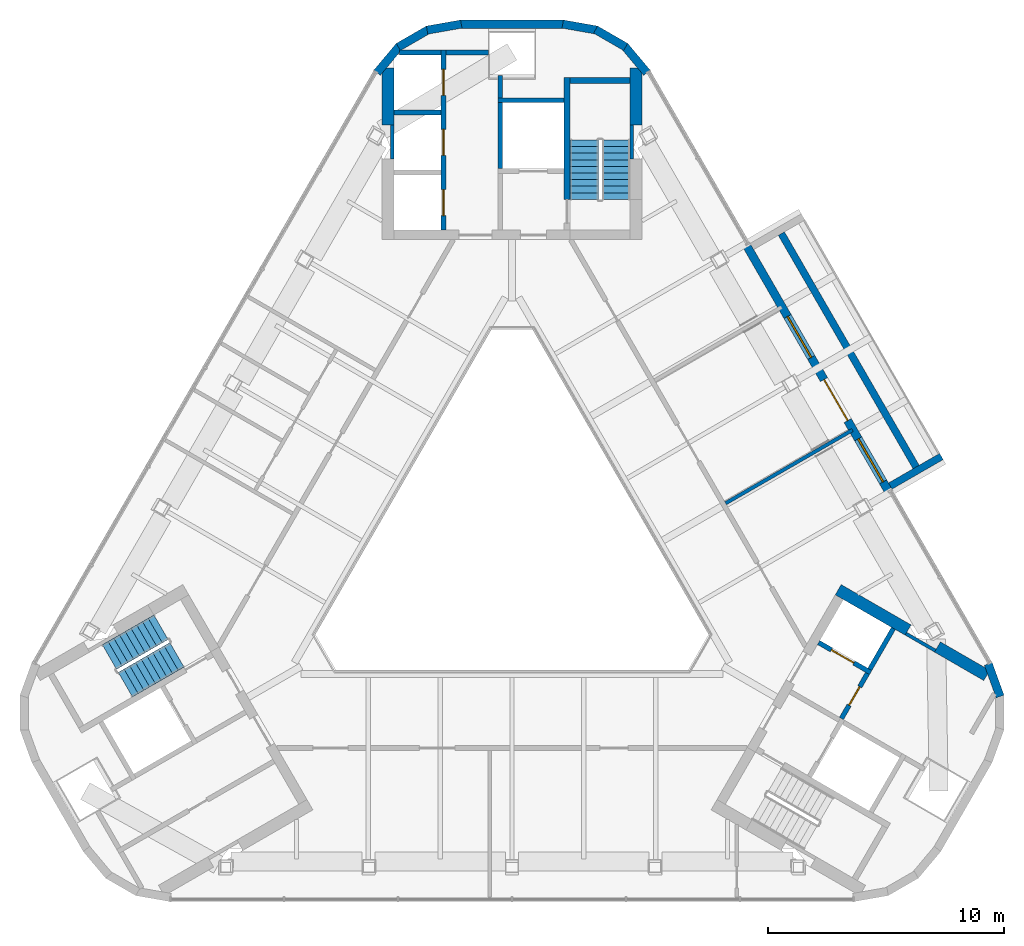
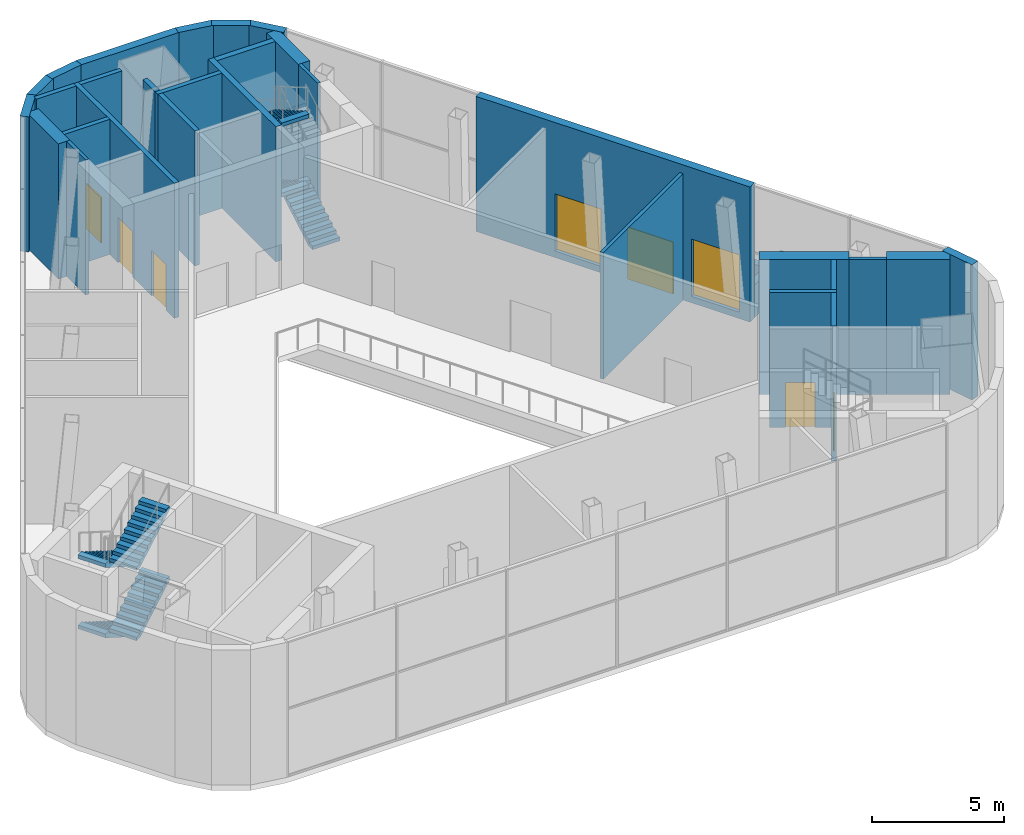
# One storey, part 9 of 12: 31 walls, 7 stair flights, 6 doors, 2 windows, 8 openings, 2 elements without a shape of their own.
"""IFC4 building model written with IfcOpenShell, lengths in metres."""

from ifc_helpers import new_model, si_unit, direction, frame, frame_2d, origin, place, context, subcontext, project, spatial, polyline, rectangle, outline, extrude, material, layer, layer_set, type_object, element, fill, aggregate, save


model = new_model("IFC4")

# Units and contexts
model_context = context("Model", 3, precision=1e-05, world=origin(), true_north=direction((0.0, 1.0)))
body_context = subcontext(model_context, "Body", "Model", "MODEL_VIEW")
ifc_project = project(units=[si_unit("LENGTHUNIT", "METRE"), si_unit("AREAUNIT", "SQUARE_METRE"), si_unit("VOLUMEUNIT", "CUBIC_METRE"), si_unit("PLANEANGLEUNIT", "RADIAN"), si_unit("MASSUNIT", "GRAM", prefix="KILO")], contexts=[model_context])

# Site, building, storey
site_placement = place(None, origin())
site = spatial("IfcSite", under=ifc_project, at=site_placement, CompositionType="ELEMENT")
building_placement = place(site_placement, origin())
building = spatial("IfcBuilding", under=site, at=building_placement, Name="Apuvela Tower Hotel", CompositionType="ELEMENT")
storey_placement = place(building_placement, frame((0.0, 0.0, 331.800048828125)))
storey = spatial("IfcBuildingStorey", under=building, at=storey_placement, Name="L83", CompositionType="ELEMENT", Elevation=331.800048828125)

# Walls
ifc_material_1 = material(Name="Concrete C50/60", Category="concrete")
ifc_layer_1 = layer(ifc_material_1, 0.139892578125)
ifc_layer_set_1 = layer_set([ifc_layer_1], Name="COR-WALL-CORE-140")
wall_type_1 = type_object("IfcWallType", Name="COR-WALL-CORE-140", PredefinedType="SHEAR", material=ifc_layer_set_1)
for number, where, z_axis, x_axis, name in (
    (1, (5.070068359375, 16.310791015625, 0.0), (0.0, 0.0, 1.0), (0.0, 1.0, 0.0), "Core wall N"),
    (2, (-5.070068359375, 16.310791015625, 0.0), (0.0, 0.0, 1.0), (0.0, 1.0, 0.0), "Core wall N"),
    (3, (16.660400390625, -3.7646484375, 0.0), (0.0, 0.0, 1.0), (0.866077922096, -0.499909024581, 0.0), "Core wall SE"),
):
    element("IfcWall", number, at=place(storey_placement, frame(where, z_axis=z_axis, x_axis=x_axis)), inside=storey, type_object=wall_type_1, Name=name, PredefinedType="SHEAR", context=body_context, shape_type="SweptSolid", body=[
        extrude(rectangle(XDim=1.434814453125, YDim=0.139892578125, at=frame_2d((0.71728515625, 0.0))), origin(), (0.0, 0.0, 1.0), 6.25),
    ])
ifc_layer_2 = layer(ifc_material_1, 0.5)
ifc_layer_set_2 = layer_set([ifc_layer_2], Name="COR-WALL-CORE-500")
wall_type_2 = type_object("IfcWallType", Name="COR-WALL-CORE-500", PredefinedType="SHEAR", material=ifc_layer_set_2)
for number, where, z_axis, x_axis, name in (
    (4, (5.25, 17.74560546875, 0.0), (0.0, 0.0, 1.0), (0.0, 1.0, 0.0), "Core wall N"),
    (5, (-5.25, 17.74560546875, 0.0), (0.0, 0.0, 1.0), (0.0, 1.0, 0.0), "Core wall N"),
):
    element("IfcWall", number, at=place(storey_placement, frame(where, z_axis=z_axis, x_axis=x_axis)), inside=storey, type_object=wall_type_2, Name=name, PredefinedType="SHEAR", context=body_context, shape_type="SweptSolid", body=[
        extrude(rectangle(XDim=2.40576171875, YDim=0.5, at=frame_2d((1.202880859375, 0.0))), origin(), (0.0, 0.0, 1.0), 6.25),
    ])
wall_1_placement = place(storey_placement, frame((13.796630859375, -1.9033203125, 0.0), z_axis=(0.0, 0.0, 1.0), x_axis=(0.866036589769, -0.499980624807, 0.0)))
element("IfcWall", 6, at=wall_1_placement, inside=storey, type_object=wall_type_2, Name="Core wall SE", PredefinedType="SHEAR", context=body_context, shape_type="SweptSolid", body=[
    extrude(rectangle(XDim=3.410888671875, YDim=0.5, at=frame_2d((1.70556640625, 0.0))), origin(), (0.0, 0.0, 1.0), 6.25),
])
wall_2_placement = place(storey_placement, frame((17.9931640625, -4.326171875, 0.0), z_axis=(0.0, 0.0, 1.0), x_axis=(0.866030114221, -0.499991841196, 0.0)))
element("IfcWall", 7, at=wall_2_placement, inside=storey, type_object=wall_type_2, Name="Core wall SE", PredefinedType="SHEAR", context=body_context, shape_type="SweptSolid", body=[
    extrude(rectangle(XDim=2.40576171875, YDim=0.5, at=frame_2d((1.202880859375, 0.0))), origin(), (0.0, 0.0, 1.0), 6.25),
])
ifc_layer_3 = layer(ifc_material_1, 0.199951171875)
ifc_layer_set_3 = layer_set([ifc_layer_3], Name="COR-WALL-SHAFT-200")
wall_type_3 = type_object("IfcWallType", Name="COR-WALL-SHAFT-200", PredefinedType="SHEAR", material=ifc_layer_set_3)
for number, where, z_axis, x_axis, name in (
    (8, (2.199951171875, 18.800048828125, 0.0), (0.0, 0.0, 1.0), (-1.0, 0.0, 0.0), "Shaft wall N"),
    (9, (-0.5, 15.89990234375, 0.0), (0.0, 0.0, 1.0), (0.0, 1.0, 0.0), "Shaft wall N"),
):
    element("IfcWall", number, at=place(storey_placement, frame(where, z_axis=z_axis, x_axis=x_axis)), inside=storey, type_object=wall_type_3, Name=name, PredefinedType="SHEAR", context=body_context, shape_type="SweptSolid", body=[
        extrude(rectangle(XDim=2.800048828125, YDim=0.199951171875, at=frame_2d((1.39990234375, 0.0))), origin(), (0.0, 0.0, 1.0), 6.25),
    ])

# Wall, openings, doors
wall_3_placement = place(storey_placement, frame((-2.89990234375, 13.300048828125, 0.0), z_axis=(0.0, 0.0, 1.0), x_axis=(0.0, 1.0, 0.0)))
wall_3 = element("IfcWall", 10, at=wall_3_placement, inside=storey, type_object=wall_type_3, Name="Shaft wall N", PredefinedType="SHEAR", context=body_context, shape_type="SweptSolid", body=[
    extrude(rectangle(XDim=7.619873046875, YDim=0.199951171875, at=frame_2d((3.81005859375, 0.0))), origin(), (0.0, 0.0, 1.0), 6.25),
])
opening_1_placement = place(wall_3_placement, frame((0.6201171875, 0.0, 0.0)))
opening_1 = element("IfcOpeningElement", 11, at=opening_1_placement, cuts=wall_3, Name="Opening N-LD-HR1", PredefinedType="OPENING", context=body_context, shape_type="SweptSolid", body=[
    extrude(rectangle(XDim=1.10009765625, YDim=2.10009765625, at=frame_2d((0.550048828125, 1.050048828125))), frame((0.0, 0.10986328125, 0.0), z_axis=(0.0, -1.0, 0.0), x_axis=(1.0, 0.0, 0.0)), (0.0, 0.0, 1.0), 0.219970703125),
])
opening_2_placement = place(wall_3_placement, frame((3.159912109375, 0.0, 0.0)))
opening_2 = element("IfcOpeningElement", 12, at=opening_2_placement, cuts=wall_3, Name="Opening N-LD-HR2", PredefinedType="OPENING", context=body_context, shape_type="SweptSolid", body=[
    extrude(rectangle(XDim=1.10009765625, YDim=2.10009765625, at=frame_2d((0.550048828125, 1.050048828125))), frame((0.0, 0.10986328125, 0.0), z_axis=(0.0, -1.0, 0.0), x_axis=(1.0, 0.0, 0.0)), (0.0, 0.0, 1.0), 0.219970703125),
])
opening_3_placement = place(wall_3_placement, frame((5.699951171875, 0.0, 0.0)))
opening_3 = element("IfcOpeningElement", 13, at=opening_3_placement, cuts=wall_3, Name="Opening N-LD-HR4", PredefinedType="OPENING", context=body_context, shape_type="SweptSolid", body=[
    extrude(rectangle(XDim=1.10009765625, YDim=2.10009765625, at=frame_2d((0.550048828125, 1.050048828125))), frame((0.0, 0.10986328125, 0.0), z_axis=(0.0, -1.0, 0.0), x_axis=(1.0, 0.0, 0.0)), (0.0, 0.0, 1.0), 0.219970703125),
])
ifc_material_2 = material(Name="Stainless steel lift landing door", Category="steel")
door_type_1 = type_object("IfcDoorType", Name="COR-LD-1100", OperationType="DOUBLE_DOOR_SLIDING", PredefinedType="DOOR", material=ifc_material_2)
door_1_placement = place(opening_1_placement, origin())
door_1 = element("IfcDoor", 14, at=door_1_placement, inside=storey, type_object=door_type_1, Name="Lift landing door N-LD-HR1", OperationType="DOUBLE_DOOR_SLIDING", OverallHeight=2.10009765625, OverallWidth=1.10009765625, PredefinedType="DOOR", context=body_context, shape_type="SweptSolid", body=[
    extrude(rectangle(XDim=1.10009765625, YDim=2.10009765625, at=frame_2d((0.550048828125, 1.050048828125))), frame((0.0, 0.02490234375, 0.0), z_axis=(0.0, -1.0, 0.0), x_axis=(1.0, 0.0, 0.0)), (0.0, 0.0, 1.0), 0.050048828125),
])
fill(opening_1, door_1)
door_2_placement = place(opening_2_placement, origin())
door_2 = element("IfcDoor", 15, at=door_2_placement, inside=storey, type_object=door_type_1, Name="Lift landing door N-LD-HR2", OperationType="DOUBLE_DOOR_SLIDING", OverallHeight=2.10009765625, OverallWidth=1.10009765625, PredefinedType="DOOR", context=body_context, shape_type="SweptSolid", body=[
    extrude(rectangle(XDim=1.10009765625, YDim=2.10009765625, at=frame_2d((0.550048828125, 1.050048828125))), frame((0.0, 0.02490234375, 0.0), z_axis=(0.0, -1.0, 0.0), x_axis=(1.0, 0.0, 0.0)), (0.0, 0.0, 1.0), 0.050048828125),
])
fill(opening_2, door_2)
door_3_placement = place(opening_3_placement, origin())
door_3 = element("IfcDoor", 16, at=door_3_placement, inside=storey, type_object=door_type_1, Name="Lift landing door N-LD-HR4", OperationType="DOUBLE_DOOR_SLIDING", OverallHeight=2.10009765625, OverallWidth=1.10009765625, PredefinedType="DOOR", context=body_context, shape_type="SweptSolid", body=[
    extrude(rectangle(XDim=1.10009765625, YDim=2.10009765625, at=frame_2d((0.550048828125, 1.050048828125))), frame((0.0, 0.02490234375, 0.0), z_axis=(0.0, -1.0, 0.0), x_axis=(1.0, 0.0, 0.0)), (0.0, 0.0, 1.0), 0.050048828125),
])
fill(opening_3, door_3)

# Walls
wall_4_placement = place(storey_placement, frame((-1.0, 20.820068359375, 0.0), z_axis=(0.0, 0.0, 1.0), x_axis=(-1.0, 0.0, 0.0)))
element("IfcWall", 17, at=wall_4_placement, inside=storey, type_object=wall_type_3, Name="Shaft wall N", PredefinedType="SHEAR", context=body_context, shape_type="SweptSolid", body=[
    extrude(rectangle(XDim=1.800048828125, YDim=0.199951171875, at=frame_2d((0.89990234375, 0.0))), origin(), (0.0, 0.0, 1.0), 6.25),
])
wall_5_placement = place(storey_placement, frame((-0.5, 18.89990234375, 0.0), z_axis=(0.0, 0.0, 1.0), x_axis=(0.0, 1.0, 0.0)))
element("IfcWall", 18, at=wall_5_placement, inside=storey, type_object=wall_type_3, Name="Shaft wall N", PredefinedType="SHEAR", context=body_context, shape_type="SweptSolid", body=[
    extrude(rectangle(XDim=0.940185546875, YDim=0.199951171875, at=frame_2d((0.47021484375, 0.0))), origin(), (0.0, 0.0, 1.0), 6.25),
])
wall_6_placement = place(storey_placement, frame((-3.0, 18.280029296875, 0.0), z_axis=(0.0, 0.0, 1.0), x_axis=(-1.0, 0.0, 0.0)))
element("IfcWall", 19, at=wall_6_placement, inside=storey, type_object=wall_type_3, Name="Shaft wall N", PredefinedType="SHEAR", context=body_context, shape_type="SweptSolid", body=[
    extrude(rectangle(XDim=2.0, YDim=0.199951171875, at=frame_2d((1.0, 0.0))), origin(), (0.0, 0.0, 1.0), 6.25),
])
wall_7_placement = place(storey_placement, frame((-3.0, 20.820068359375, 0.0), z_axis=(0.0, 0.0, 1.0), x_axis=(-1.0, 0.0, 0.0)))
element("IfcWall", 20, at=wall_7_placement, inside=storey, type_object=wall_type_3, Name="Shaft wall N", PredefinedType="SHEAR", context=body_context, shape_type="SweptSolid", body=[
    extrude(rectangle(XDim=1.75, YDim=0.199951171875, at=frame_2d((0.875, 0.0))), origin(), (0.0, 0.0, 1.0), 6.25),
])

# Wall, opening, door
wall_8_placement = place(storey_placement, frame((12.968017578125, -4.138427734375, 0.0), z_axis=(0.0, 0.0, 1.0), x_axis=(0.866022320763, -0.500005339912, 0.0)))
wall_8 = element("IfcWall", 21, at=wall_8_placement, inside=storey, type_object=wall_type_3, Name="Shaft wall SE", PredefinedType="SHEAR", context=body_context, shape_type="SweptSolid", body=[
    extrude(rectangle(XDim=2.5400390625, YDim=0.199951171875, at=frame_2d((1.27001953125, 0.0))), origin(), (0.0, 0.0, 1.0), 6.25),
])
opening_4_placement = place(wall_8_placement, frame((0.6201171875, 0.0, 0.0)))
opening_4 = element("IfcOpeningElement", 22, at=opening_4_placement, cuts=wall_8, Name="Opening E-LD-HR3", PredefinedType="OPENING", context=body_context, shape_type="SweptSolid", body=[
    extrude(rectangle(XDim=1.10009765625, YDim=2.10009765625, at=frame_2d((0.550048828125, 1.050048828125))), frame((0.0, 0.10986328125, 0.0), z_axis=(0.0, -1.0, 0.0), x_axis=(1.0, 0.0, 0.0)), (0.0, 0.0, 1.0), 0.219970703125),
])
door_4_placement = place(opening_4_placement, origin())
door_4 = element("IfcDoor", 23, at=door_4_placement, inside=storey, type_object=door_type_1, Name="Lift landing door E-LD-HR3", OperationType="DOUBLE_DOOR_SLIDING", OverallHeight=2.10009765625, OverallWidth=1.10009765625, PredefinedType="DOOR", context=body_context, shape_type="SweptSolid", body=[
    extrude(rectangle(XDim=1.10009765625, YDim=2.10009765625, at=frame_2d((0.550048828125, 1.050048828125))), frame((0.0, 0.02490234375, 0.0), z_axis=(0.0, -1.0, 0.0), x_axis=(1.0, 0.0, 0.0)), (0.0, 0.0, 1.0), 0.050048828125),
])
fill(opening_4, door_4)

wall_9_placement = place(storey_placement, frame((13.93115234375, -7.350341796875, 0.0), z_axis=(0.0, 0.0, 1.0), x_axis=(0.50002983664, 0.866008176907, 0.0)))
wall_9 = element("IfcWall", 24, at=wall_9_placement, inside=storey, type_object=wall_type_3, Name="Shaft wall SE", PredefinedType="SHEAR", context=body_context, shape_type="SweptSolid", body=[
    extrude(rectangle(XDim=2.199951171875, YDim=0.199951171875, at=frame_2d((1.10009765625, 0.0))), origin(), (0.0, 0.0, 1.0), 6.25),
])
opening_5_placement = place(wall_9_placement, frame((0.64990234375, 0.0, 0.0)))
opening_5 = element("IfcOpeningElement", 25, at=opening_5_placement, cuts=wall_9, Name="Opening E-RE2", PredefinedType="OPENING", context=body_context, shape_type="SweptSolid", body=[
    extrude(rectangle(XDim=0.89990234375, YDim=2.10009765625, at=frame_2d((0.449951171875, 1.050048828125))), frame((0.0, 0.10986328125, 0.0), z_axis=(0.0, -1.0, 0.0), x_axis=(1.0, 0.0, 0.0)), (0.0, 0.0, 1.0), 0.219970703125),
])
ifc_material_3 = material(Name="Steel fire door, powder coated", Category="steel")
door_type_2 = type_object("IfcDoorType", Name="COR-DR-900", OperationType="NOTDEFINED", PredefinedType="DOOR", material=ifc_material_3)
door_5_placement = place(opening_5_placement, frame((0.89990234375, 0.0, 0.0), z_axis=(0.0, 0.0, 1.0), x_axis=(-1.0, 0.0, 0.0)))
door_5 = element("IfcDoor", 26, at=door_5_placement, inside=storey, type_object=door_type_2, Name="Store door E-RE2", OperationType="SINGLE_SWING_RIGHT", OverallHeight=2.10009765625, OverallWidth=0.89990234375, PredefinedType="DOOR", context=body_context, shape_type="SweptSolid", body=[
    extrude(rectangle(XDim=0.89990234375, YDim=2.10009765625, at=frame_2d((0.449951171875, 1.050048828125))), frame((0.0, 0.02490234375, 0.0), z_axis=(0.0, -1.0, 0.0), x_axis=(1.0, 0.0, 0.0)), (0.0, 0.0, 1.0), 0.050048828125),
])
fill(opening_5, door_5)

# Walls
wall_10_placement = place(storey_placement, frame((15.131103515625, -5.27197265625, 0.0), z_axis=(0.0, 0.0, 1.0), x_axis=(0.499972520799, 0.866041268327, 0.0)))
element("IfcWall", 27, at=wall_10_placement, inside=storey, type_object=wall_type_3, Name="Shaft wall SE", PredefinedType="SHEAR", context=body_context, shape_type="SweptSolid", body=[
    extrude(rectangle(XDim=2.0, YDim=0.199951171875, at=frame_2d((1.0, 0.0))), origin(), (0.0, 0.0, 1.0), 6.25),
])
ifc_layer_4 = layer(ifc_material_1, 0.25)
ifc_layer_set_4 = layer_set([ifc_layer_4], Name="COR-WALL-STAIR-250")
wall_type_4 = type_object("IfcWallType", Name="COR-WALL-STAIR-250", PredefinedType="SHEAR", material=ifc_layer_set_4)
wall_11_placement = place(storey_placement, frame((5.0, 19.625, 0.0), z_axis=(0.0, 0.0, 1.0), x_axis=(-1.0, 0.0, 0.0)))
element("IfcWall", 28, at=wall_11_placement, inside=storey, type_object=wall_type_4, Name="Stair wall N", PredefinedType="SHEAR", context=body_context, shape_type="SweptSolid", body=[
    extrude(rectangle(XDim=2.550048828125, YDim=0.25, at=frame_2d((1.27490234375, 0.0))), origin(), (0.0, 0.0, 1.0), 6.25),
])
wall_12_placement = place(storey_placement, frame((2.324951171875, 14.60595703125, 0.0), z_axis=(0.0, 0.0, 1.0), x_axis=(0.0, 1.0, 0.0)))
element("IfcWall", 29, at=wall_12_placement, inside=storey, type_object=wall_type_4, Name="Stair wall N", PredefinedType="SHEAR", context=body_context, shape_type="SweptSolid", body=[
    extrude(rectangle(XDim=5.14404296875, YDim=0.25, at=frame_2d((2.572021484375, 0.0))), origin(), (0.0, 0.0, 1.0), 6.25),
])
ifc_material_4 = material(Name="Concrete C40/50, waterproof", Category="concrete")
ifc_layer_5 = layer(ifc_material_4, 0.300048828125)
ifc_layer_set_5 = layer_set([ifc_layer_5], Name="ENV-POOL-WALL-300")
wall_type_5 = type_object("IfcWallType", Name="ENV-POOL-WALL-300", PredefinedType="SOLIDWALL", material=ifc_layer_set_5)
wall_13_placement = place(storey_placement, frame((17.09033203125, 3.285400390625, 0.0), z_axis=(0.0, 0.0, 1.0), x_axis=(-0.500001763848, 0.866024385424, 0.0)))
element("IfcWall", 30, at=wall_13_placement, inside=storey, type_object=wall_type_5, Name="Sky pool wall inner", PredefinedType="SOLIDWALL", context=body_context, shape_type="SweptSolid", body=[
    extrude(rectangle(XDim=11.39990234375, YDim=0.300048828125, at=frame_2d((5.699951171875, 0.0))), origin(), (0.0, 0.0, 1.0), 1.5),
])
wall_14_placement = place(storey_placement, frame((15.99609375, 2.48046875, 0.0), z_axis=(0.0, 0.0, 1.0), x_axis=(0.866022959057, 0.500004234368, 0.0)))
element("IfcWall", 31, at=wall_14_placement, inside=storey, type_object=wall_type_5, Name="Sky pool wall west", PredefinedType="SOLIDWALL", context=body_context, shape_type="SweptSolid", body=[
    extrude(rectangle(XDim=2.5, YDim=0.300048828125, at=frame_2d((1.25, 0.0))), origin(), (0.0, 0.0, 1.0), 1.5),
])
ifc_material_5 = material(Name="Concrete C40/50, dark pigmented precast panel", Category="concrete")
ifc_layer_6 = layer(ifc_material_5, 0.35009765625)
ifc_layer_set_6 = layer_set([ifc_layer_6], Name="ENV-WALL-350")
wall_type_6 = type_object("IfcWallType", Name="ENV-WALL-350", PredefinedType="SOLIDWALL", material=ifc_layer_set_6)
wall_15_placement = place(storey_placement, frame((4.805908203125, 21.04931640625, 0.0), z_axis=(0.0, 0.0, 1.0), x_axis=(-0.866055463174, 0.499947931995, 0.0)))
element("IfcWall", 32, at=wall_15_placement, inside=storey, type_object=wall_type_6, Name="External wall L83-01", PredefinedType="SOLIDWALL", context=body_context, shape_type="SweptSolid", body=[
    extrude(rectangle(XDim=1.468505859375, YDim=0.35009765625, at=frame_2d((0.734375, 0.0))), origin(), (0.0, 0.0, 1.0), 6.25),
])
wall_16_placement = place(storey_placement, frame((3.59130859375, 21.7626953125, 0.0), z_axis=(0.0, 0.0, 1.0), x_axis=(-0.984800286906, 0.173690514737, 0.0)))
element("IfcWall", 33, at=wall_16_placement, inside=storey, type_object=wall_type_6, Name="External wall L83-02", PredefinedType="SOLIDWALL", context=body_context, shape_type="SweptSolid", body=[
    extrude(rectangle(XDim=1.46875, YDim=0.35009765625, at=frame_2d((0.734375, 0.0))), origin(), (0.0, 0.0, 1.0), 6.25),
])
wall_17_placement = place(storey_placement, frame((2.17529296875, 22.01513671875, 0.0), z_axis=(0.0, 0.0, 1.0), x_axis=(-1.0, 0.0, 0.0)))
element("IfcWall", 34, at=wall_17_placement, inside=storey, type_object=wall_type_6, Name="External wall L83-03", PredefinedType="SOLIDWALL", context=body_context, shape_type="SweptSolid", body=[
    extrude(rectangle(XDim=4.3505859375, YDim=0.35009765625, at=frame_2d((2.17529296875, 0.0))), origin(), (0.0, 0.0, 1.0), 6.25),
])
wall_18_placement = place(storey_placement, frame((-2.144775390625, 22.017822265625, 0.0), z_axis=(0.0, 0.0, 1.0), x_axis=(-0.984800286906, -0.173690514737, 0.0)))
element("IfcWall", 35, at=wall_18_placement, inside=storey, type_object=wall_type_6, Name="External wall L83-04", PredefinedType="SOLIDWALL", context=body_context, shape_type="SweptSolid", body=[
    extrude(rectangle(XDim=1.46875, YDim=0.35009765625, at=frame_2d((0.734375, 0.0))), origin(), (0.0, 0.0, 1.0), 6.25),
])
wall_19_placement = place(storey_placement, frame((-3.5341796875, 21.783447265625, 0.0), z_axis=(0.0, 0.0, 1.0), x_axis=(-0.866055463174, -0.499947931995, 0.0)))
element("IfcWall", 36, at=wall_19_placement, inside=storey, type_object=wall_type_6, Name="External wall L83-05", PredefinedType="SOLIDWALL", context=body_context, shape_type="SweptSolid", body=[
    extrude(rectangle(XDim=1.468505859375, YDim=0.35009765625, at=frame_2d((0.734375, 0.0))), origin(), (0.0, 0.0, 1.0), 6.25),
])
for number, where, z_axis, x_axis, name in (
    (37, (-4.759521484375, 21.08837890625, 0.0), (0.0, 0.0, 1.0), (-0.642747598678, -0.766078014561, 0.0), "External wall L83-06"),
    (38, (20.642578125, -6.42236328125, 0.0), (0.0, 0.0, 1.0), (-0.341943264121, 0.939720598967, 0.0), "External wall L83-22"),
    (39, (5.70361328125, 19.963134765625, 0.0), (0.0, 0.0, 1.0), (-0.642747598678, 0.766078014561, 0.0), "External wall L83-24"),
):
    element("IfcWall", number, at=place(storey_placement, frame(where, z_axis=z_axis, x_axis=x_axis)), inside=storey, type_object=wall_type_6, Name=name, PredefinedType="SOLIDWALL", context=body_context, shape_type="SweptSolid", body=[
        extrude(rectangle(XDim=1.46875, YDim=0.35009765625, at=frame_2d((0.734375, 0.0))), origin(), (0.0, 0.0, 1.0), 6.25),
    ])

# Wall, openings, door, windows
wall_20_placement = place(storey_placement, frame((15.919677734375, 2.262939453125, 0.0), z_axis=(0.0, 0.0, 1.0), x_axis=(-0.49999894854, 0.866026010844, 0.0)))
wall_20 = element("IfcWall", 40, at=wall_20_placement, inside=storey, type_object=wall_type_6, Name="Pool hall wall L83", PredefinedType="SOLIDWALL", context=body_context, shape_type="SweptSolid", body=[
    extrude(rectangle(XDim=12.0, YDim=0.35009765625, at=frame_2d((6.0, 0.0))), origin(), (0.0, 0.0, 1.0), 6.25),
])
opening_6_placement = place(wall_20_placement, frame((0.455810546875, 0.0, 0.300048828125)))
opening_6 = element("IfcOpeningElement", 41, at=opening_6_placement, cuts=wall_20, Name="Opening WN21", PredefinedType="OPENING", context=body_context, shape_type="SweptSolid", body=[
    extrude(rectangle(XDim=2.10009765625, YDim=2.64990234375, at=frame_2d((1.050048828125, 1.324951171875))), frame((0.0, 0.18505859375, 0.0), z_axis=(0.0, -1.0, 0.0), x_axis=(1.0, 0.0, 0.0)), (0.0, 0.0, 1.0), 0.3701171875),
])
opening_7_placement = place(wall_20_placement, frame((3.447509765625, 0.0, 0.0)))
opening_7 = element("IfcOpeningElement", 42, at=opening_7_placement, cuts=wall_20, Name="Opening PD-N2", PredefinedType="OPENING", context=body_context, shape_type="SweptSolid", body=[
    extrude(rectangle(XDim=2.0, YDim=2.39990234375, at=frame_2d((1.0, 1.199951171875))), frame((0.0, 0.18505859375, 0.0), z_axis=(0.0, -1.0, 0.0), x_axis=(1.0, 0.0, 0.0)), (0.0, 0.0, 1.0), 0.3701171875),
])
opening_8_placement = place(wall_20_placement, frame((6.530029296875, 0.0, 0.300048828125)))
opening_8 = element("IfcOpeningElement", 43, at=opening_8_placement, cuts=wall_20, Name="Opening WN20", PredefinedType="OPENING", context=body_context, shape_type="SweptSolid", body=[
    extrude(rectangle(XDim=2.0, YDim=2.64990234375, at=frame_2d((1.0, 1.324951171875))), frame((0.0, 0.18505859375, 0.0), z_axis=(0.0, -1.0, 0.0), x_axis=(1.0, 0.0, 0.0)), (0.0, 0.0, 1.0), 0.3701171875),
])
ifc_material_6 = material(Name="Aluminium 6063-T6, dark bronze anodised frame with dark tinted laminated glass", Category="aluminium")
door_type_3 = type_object("IfcDoorType", Name="ENV-DOOR-POOL-2000x2400", OperationType="DOUBLE_DOOR_SINGLE_SWING", PredefinedType="DOOR", material=ifc_material_6)
door_6_placement = place(opening_7_placement, frame((2.0, 0.0, 0.0), z_axis=(0.0, 0.0, 1.0), x_axis=(-1.0, 0.0, 0.0)))
door_6 = element("IfcDoor", 44, at=door_6_placement, inside=storey, type_object=door_type_3, Name="Pool deck door PD-N2", OperationType="DOUBLE_DOOR_SINGLE_SWING", OverallHeight=2.39990234375, OverallWidth=2.0, PredefinedType="DOOR", context=body_context, shape_type="SweptSolid", body=[
    extrude(rectangle(XDim=2.0, YDim=2.39990234375, at=frame_2d((1.0, 1.199951171875))), frame((0.0, 0.02490234375, 0.0), z_axis=(0.0, -1.0, 0.0), x_axis=(1.0, 0.0, 0.0)), (0.0, 0.0, 1.0), 0.050048828125),
])
fill(opening_7, door_6)
ifc_material_7 = material(Name="Glass, dark tinted laminated insulated glazing unit", Category="glass")
window_type_1 = type_object("IfcWindowType", Name="ENV-WIN-2000x2650", PartitioningType="SINGLE_PANEL", PredefinedType="WINDOW", material=ifc_material_7)
window_1_placement = place(opening_8_placement, origin())
window_1 = element("IfcWindow", 45, at=window_1_placement, inside=storey, type_object=window_type_1, Name="Window WN20", OverallHeight=2.64990234375, OverallWidth=2.0, PartitioningType="SINGLE_PANEL", PredefinedType="WINDOW", context=body_context, shape_type="SweptSolid", body=[
    extrude(rectangle(XDim=2.0, YDim=2.64990234375, at=frame_2d((1.0, 1.324951171875))), frame((0.0, 0.030029296875, 0.0), z_axis=(0.0, -1.0, 0.0), x_axis=(1.0, 0.0, 0.0)), (0.0, 0.0, 1.0), 0.06005859375),
])
fill(opening_8, window_1)
window_type_2 = type_object("IfcWindowType", Name="ENV-WIN-2100x2650", PartitioningType="SINGLE_PANEL", PredefinedType="WINDOW", material=ifc_material_7)
window_2_placement = place(opening_6_placement, origin())
window_2 = element("IfcWindow", 46, at=window_2_placement, inside=storey, type_object=window_type_2, Name="Window WN21", OverallHeight=2.64990234375, OverallWidth=2.10009765625, PartitioningType="SINGLE_PANEL", PredefinedType="WINDOW", context=body_context, shape_type="SweptSolid", body=[
    extrude(rectangle(XDim=2.10009765625, YDim=2.64990234375, at=frame_2d((1.050048828125, 1.324951171875))), frame((0.0, 0.030029296875, 0.0), z_axis=(0.0, -1.0, 0.0), x_axis=(1.0, 0.0, 0.0)), (0.0, 0.0, 1.0), 0.06005859375),
])
fill(opening_6, window_2)

# Wall
ifc_material_8 = material(Name="Gypsum board partition on steel stud", Category="steel")
ifc_layer_7 = layer(ifc_material_8, 0.14990234375)
ifc_layer_set_7 = layer_set([ifc_layer_7], Name="SPC-WALL-PARTITION")
wall_type_7 = type_object("IfcWallType", Name="SPC-WALL-PARTITION", PredefinedType="PARTITIONING", material=ifc_layer_set_7)
wall_21_placement = place(storey_placement, frame((14.39794921875, 4.8486328125, 0.0), z_axis=(0.0, 0.0, 1.0), x_axis=(-0.866022127522, -0.500005674609, 0.0)))
element("IfcWall", 47, at=wall_21_placement, inside=storey, type_object=wall_type_7, Name="Wall L83-NE-P01", PredefinedType="PARTITIONING", context=body_context, shape_type="SweptSolid", body=[
    extrude(rectangle(XDim=6.193359375, YDim=0.14990234375, at=frame_2d((3.0966796875, 0.0))), origin(), (0.0, 0.0, 1.0), 5.849853515625),
])

# Stair, stair flights
stair_type = type_object("IfcStairType", Name="COR-STAIR-40R", PredefinedType="HALF_TURN_STAIR", material=ifc_material_1)
stair_1_placement = place(storey_placement, origin())
stair_1 = element("IfcStair", 48, at=stair_1_placement, inside=storey, type_object=stair_type, Name="L83 Exit stair ST1", PredefinedType="HALF_TURN_STAIR")
stair_flight_type = type_object("IfcStairFlightType", Name="COR-FLIGHT-10R", PredefinedType="STRAIGHT", material=ifc_material_1)
stair_flight_1_placement = place(storey_placement, frame((4.39990234375, 14.60009765625, 0.0), z_axis=(0.0, 0.0, 1.0), x_axis=(0.0, 1.0, 0.0)))
stair_flight_1 = element("IfcStairFlight", 49, at=stair_flight_1_placement, type_object=stair_flight_type, Name="ST1 flight 1", NumberOfRisers=10, NumberOfTreads=9, PredefinedType="STRAIGHT", RiserHeight=0.1625, TreadLength=0.28, context=body_context, shape_type="SweptSolid", body=[
    extrude(outline(polyline([(0.0, 0.0), (0.0, 0.16259765625), (0.280029296875, 0.16259765625), (0.280029296875, 0.324951171875), (0.56005859375, 0.324951171875), (0.56005859375, 0.487548828125), (0.840087890625, 0.487548828125), (0.840087890625, 0.64990234375), (1.1201171875, 0.64990234375), (1.1201171875, 0.8125), (1.39990234375, 0.8125), (1.39990234375, 0.97509765625), (1.679931640625, 0.97509765625), (1.679931640625, 1.137451171875), (1.9599609375, 1.137451171875), (1.9599609375, 1.300048828125), (2.239990234375, 1.300048828125), (2.239990234375, 1.46240234375), (2.52001953125, 1.46240234375), (2.52001953125, 1.625), (2.52001953125, 1.2890625), (0.298583984375, 0.0), (0.0, 0.0)])), frame((0.0, 0.60009765625, 0.0), z_axis=(0.0, -1.0, 0.0), x_axis=(1.0, 0.0, 0.0)), (0.0, 0.0, 1.0), 1.199951171875),
])
stair_flight_2_placement = place(storey_placement, frame((3.050048828125, 17.1201171875, 1.625), z_axis=(0.0, 0.0, 1.0), x_axis=(0.0, -1.0, 0.0)))
stair_flight_2 = element("IfcStairFlight", 50, at=stair_flight_2_placement, type_object=stair_flight_type, Name="ST1 flight 2", NumberOfRisers=10, NumberOfTreads=9, PredefinedType="STRAIGHT", RiserHeight=0.1625, TreadLength=0.28, context=body_context, shape_type="SweptSolid", body=[
    extrude(outline(polyline([(0.0, 0.0), (0.0, 0.16259765625), (0.280029296875, 0.16259765625), (0.280029296875, 0.324951171875), (0.56005859375, 0.324951171875), (0.56005859375, 0.487548828125), (0.840087890625, 0.487548828125), (0.840087890625, 0.64990234375), (1.1201171875, 0.64990234375), (1.1201171875, 0.8125), (1.39990234375, 0.8125), (1.39990234375, 0.97509765625), (1.679931640625, 0.97509765625), (1.679931640625, 1.137451171875), (1.9599609375, 1.137451171875), (1.9599609375, 1.300048828125), (2.239990234375, 1.300048828125), (2.239990234375, 1.46240234375), (2.52001953125, 1.46240234375), (2.52001953125, 1.625), (2.52001953125, 1.2890625), (0.298583984375, 0.0), (0.0, 0.0)])), frame((0.0, 0.60009765625, 0.0), z_axis=(0.0, -1.0, 0.0), x_axis=(1.0, 0.0, 0.0)), (0.0, 0.0, 1.0), 1.199951171875),
])
stair_flight_3_placement = place(storey_placement, frame((3.050048828125, 17.1201171875, 4.875), z_axis=(0.0, 0.0, 1.0), x_axis=(0.0, -1.0, 0.0)))
stair_flight_3 = element("IfcStairFlight", 51, at=stair_flight_3_placement, type_object=stair_flight_type, Name="ST1 flight 4", NumberOfRisers=10, NumberOfTreads=9, PredefinedType="STRAIGHT", RiserHeight=0.1625, TreadLength=0.28, context=body_context, shape_type="SweptSolid", body=[
    extrude(outline(polyline([(0.0, 0.0), (0.0, 0.16259765625), (0.280029296875, 0.16259765625), (0.280029296875, 0.324951171875), (0.56005859375, 0.324951171875), (0.56005859375, 0.487548828125), (0.840087890625, 0.487548828125), (0.840087890625, 0.64990234375), (1.1201171875, 0.64990234375), (1.1201171875, 0.8125), (1.39990234375, 0.8125), (1.39990234375, 0.97509765625), (1.679931640625, 0.97509765625), (1.679931640625, 1.137451171875), (1.9599609375, 1.137451171875), (1.9599609375, 1.300048828125), (2.239990234375, 1.300048828125), (2.239990234375, 1.46240234375), (2.52001953125, 1.46240234375), (2.52001953125, 1.625), (2.52001953125, 1.2890625), (0.298583984375, 0.0), (0.0, 0.0)])), frame((0.0, 0.60009765625, 0.0), z_axis=(0.0, -1.0, 0.0), x_axis=(1.0, 0.0, 0.0)), (0.0, 0.0, 1.0), 1.199951171875),
])
aggregate(stair_1, [stair_flight_1, stair_flight_2, stair_flight_3])

stair_2_placement = place(storey_placement, origin())
stair_2 = element("IfcStair", 52, at=stair_2_placement, inside=storey, type_object=stair_type, Name="L83 Exit stair ST2", PredefinedType="HALF_TURN_STAIR")
stair_flight_4_placement = place(storey_placement, frame((-14.843994140625, -3.489501953125, 0.0), z_axis=(0.0, 0.0, 1.0), x_axis=(-0.866025403784, -0.5, 0.0)))
stair_flight_4 = element("IfcStairFlight", 53, at=stair_flight_4_placement, type_object=stair_flight_type, Name="ST2 flight 1", NumberOfRisers=10, NumberOfTreads=9, PredefinedType="STRAIGHT", RiserHeight=0.1625, TreadLength=0.28, context=body_context, shape_type="SweptSolid", body=[
    extrude(outline(polyline([(0.0, 0.0), (0.0, 0.16259765625), (0.280029296875, 0.16259765625), (0.280029296875, 0.324951171875), (0.56005859375, 0.324951171875), (0.56005859375, 0.487548828125), (0.840087890625, 0.487548828125), (0.840087890625, 0.64990234375), (1.1201171875, 0.64990234375), (1.1201171875, 0.8125), (1.39990234375, 0.8125), (1.39990234375, 0.97509765625), (1.679931640625, 0.97509765625), (1.679931640625, 1.137451171875), (1.9599609375, 1.137451171875), (1.9599609375, 1.300048828125), (2.239990234375, 1.300048828125), (2.239990234375, 1.46240234375), (2.52001953125, 1.46240234375), (2.52001953125, 1.625), (2.52001953125, 1.2890625), (0.298583984375, 0.0), (0.0, 0.0)])), frame((0.0, 0.60009765625, 0.0), z_axis=(0.0, -1.0, 0.0), x_axis=(1.0, 0.0, 0.0)), (0.0, 0.0, 1.0), 1.199951171875),
])
stair_flight_5_placement = place(storey_placement, frame((-16.351318359375, -5.918701171875, 1.625), z_axis=(0.0, 0.0, 1.0), x_axis=(0.866025403784, 0.5, 0.0)))
stair_flight_5 = element("IfcStairFlight", 54, at=stair_flight_5_placement, type_object=stair_flight_type, Name="ST2 flight 2", NumberOfRisers=10, NumberOfTreads=9, PredefinedType="STRAIGHT", RiserHeight=0.1625, TreadLength=0.28, context=body_context, shape_type="SweptSolid", body=[
    extrude(outline(polyline([(0.0, 0.0), (0.0, 0.16259765625), (0.280029296875, 0.16259765625), (0.280029296875, 0.324951171875), (0.56005859375, 0.324951171875), (0.56005859375, 0.487548828125), (0.840087890625, 0.487548828125), (0.840087890625, 0.64990234375), (1.1201171875, 0.64990234375), (1.1201171875, 0.8125), (1.39990234375, 0.8125), (1.39990234375, 0.97509765625), (1.679931640625, 0.97509765625), (1.679931640625, 1.137451171875), (1.9599609375, 1.137451171875), (1.9599609375, 1.300048828125), (2.239990234375, 1.300048828125), (2.239990234375, 1.46240234375), (2.52001953125, 1.46240234375), (2.52001953125, 1.625), (2.52001953125, 1.2890625), (0.298583984375, 0.0), (0.0, 0.0)])), frame((0.0, 0.60009765625, 0.0), z_axis=(0.0, -1.0, 0.0), x_axis=(1.0, 0.0, 0.0)), (0.0, 0.0, 1.0), 1.199951171875),
])
stair_flight_6_placement = place(storey_placement, frame((-14.843994140625, -3.489501953125, 3.25), z_axis=(0.0, 0.0, 1.0), x_axis=(-0.866025403784, -0.5, 0.0)))
stair_flight_6 = element("IfcStairFlight", 55, at=stair_flight_6_placement, type_object=stair_flight_type, Name="ST2 flight 3", NumberOfRisers=10, NumberOfTreads=9, PredefinedType="STRAIGHT", RiserHeight=0.1625, TreadLength=0.28, context=body_context, shape_type="SweptSolid", body=[
    extrude(outline(polyline([(0.0, 0.0), (0.0, 0.16259765625), (0.280029296875, 0.16259765625), (0.280029296875, 0.324951171875), (0.56005859375, 0.324951171875), (0.56005859375, 0.487548828125), (0.840087890625, 0.487548828125), (0.840087890625, 0.64990234375), (1.1201171875, 0.64990234375), (1.1201171875, 0.8125), (1.39990234375, 0.8125), (1.39990234375, 0.97509765625), (1.679931640625, 0.97509765625), (1.679931640625, 1.137451171875), (1.9599609375, 1.137451171875), (1.9599609375, 1.300048828125), (2.239990234375, 1.300048828125), (2.239990234375, 1.46240234375), (2.52001953125, 1.46240234375), (2.52001953125, 1.625), (2.52001953125, 1.2890625), (0.298583984375, 0.0), (0.0, 0.0)])), frame((0.0, 0.60009765625, 0.0), z_axis=(0.0, -1.0, 0.0), x_axis=(1.0, 0.0, 0.0)), (0.0, 0.0, 1.0), 1.199951171875),
])
stair_flight_7_placement = place(storey_placement, frame((-16.351318359375, -5.918701171875, 4.875), z_axis=(0.0, 0.0, 1.0), x_axis=(0.866025403784, 0.5, 0.0)))
stair_flight_7 = element("IfcStairFlight", 56, at=stair_flight_7_placement, type_object=stair_flight_type, Name="ST2 flight 4", NumberOfRisers=10, NumberOfTreads=9, PredefinedType="STRAIGHT", RiserHeight=0.1625, TreadLength=0.28, context=body_context, shape_type="SweptSolid", body=[
    extrude(outline(polyline([(0.0, 0.0), (0.0, 0.16259765625), (0.280029296875, 0.16259765625), (0.280029296875, 0.324951171875), (0.56005859375, 0.324951171875), (0.56005859375, 0.487548828125), (0.840087890625, 0.487548828125), (0.840087890625, 0.64990234375), (1.1201171875, 0.64990234375), (1.1201171875, 0.8125), (1.39990234375, 0.8125), (1.39990234375, 0.97509765625), (1.679931640625, 0.97509765625), (1.679931640625, 1.137451171875), (1.9599609375, 1.137451171875), (1.9599609375, 1.300048828125), (2.239990234375, 1.300048828125), (2.239990234375, 1.46240234375), (2.52001953125, 1.46240234375), (2.52001953125, 1.625), (2.52001953125, 1.2890625), (0.298583984375, 0.0), (0.0, 0.0)])), frame((0.0, 0.60009765625, 0.0), z_axis=(0.0, -1.0, 0.0), x_axis=(1.0, 0.0, 0.0)), (0.0, 0.0, 1.0), 1.199951171875),
])
aggregate(stair_2, [stair_flight_4, stair_flight_5, stair_flight_6, stair_flight_7])

save(model, "model.ifc")
